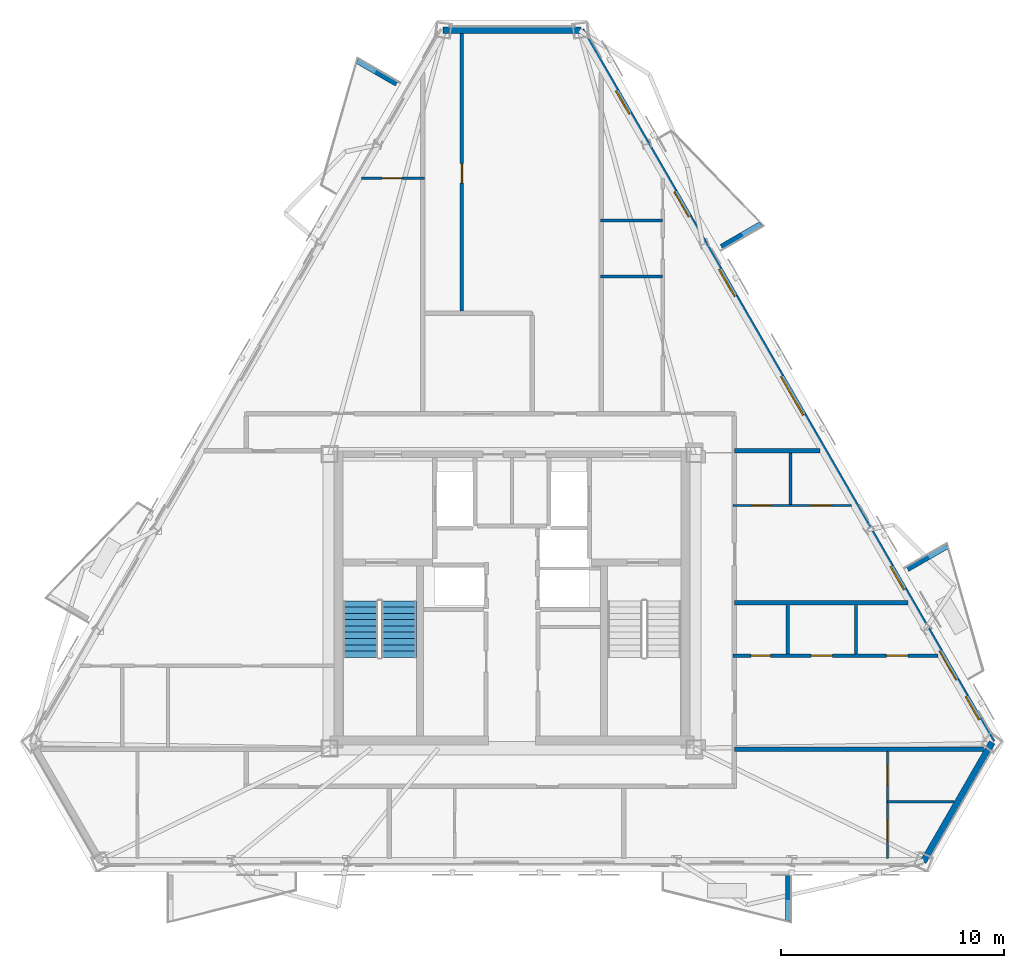
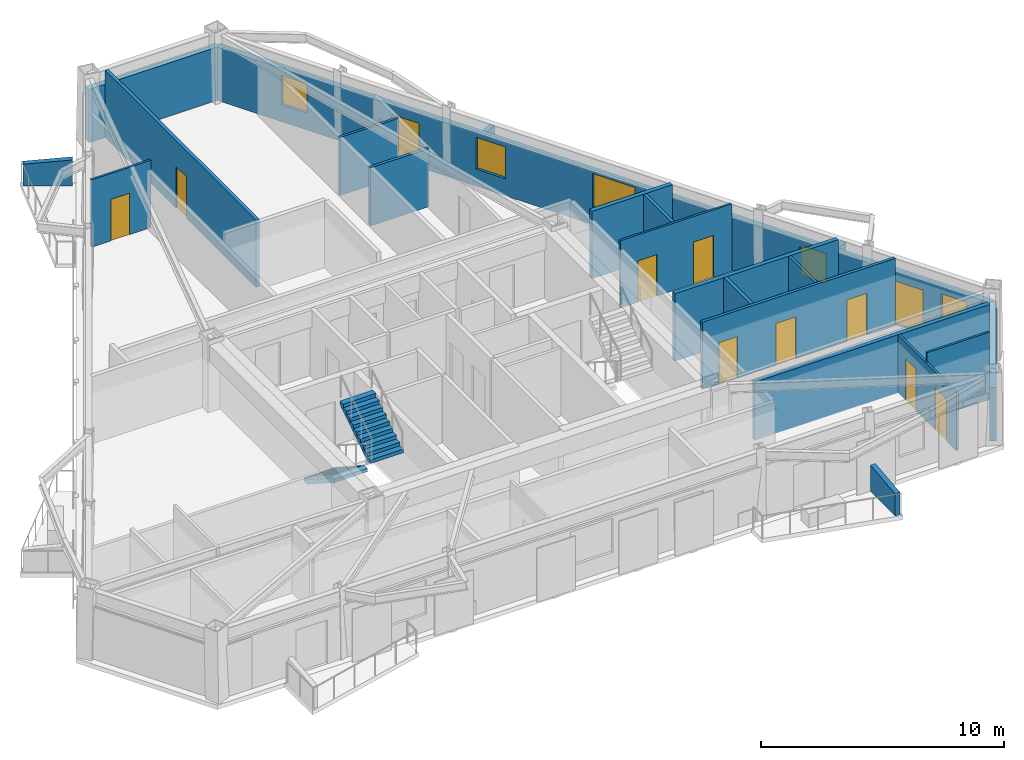
# One storey, part 5 of 9: 21 walls, 11 doors, 5 windows, 2 stair flights, 16 openings, 1 element without a shape of its own.
"""IFC4 building model written with IfcOpenShell, lengths in metres."""

import ifcopenshell
import ifcopenshell.guid

model = None  # the IFC model being written
_history = None  # IfcOwnerHistory: only IFC2X3 demands one
_inside = {}  # id of a spatial element -> (the spatial element, [elements in it])
_under = {}  # id of a project, library or spatial element -> (it, [spatial elements below it])
_declared = {}  # id of a project -> (the project, [libraries it declares])
_typed = {}  # id of a type object -> (the type object, [elements of that type])
_made_of = {}  # id of a material, layer set ... -> (it, [elements and type objects made of it])


def new_model(schema):
    """Start an empty IFC model of exactly this schema.

    Asked for "IFC4X3", IfcOpenShell would pick the latest addendum, in which some entities
    have other attributes; the version numbers below select the first issue.
    IFC2X3 requires an IfcOwnerHistory on every rooted entity: one is made here for all.
    """
    global model, _history
    if schema == "IFC4X3":
        model = ifcopenshell.file(schema_version=(4, 3, 0, 0))
    else:
        model = ifcopenshell.file(schema=schema)
    _inside.clear()
    _under.clear()
    _declared.clear()
    _typed.clear()
    _made_of.clear()
    _history = None
    if model.schema == "IFC2X3":
        org = make("IfcOrganization", Name="unknown")
        user = make(
            "IfcPersonAndOrganization",
            ThePerson=make("IfcPerson", FamilyName="unknown"),
            TheOrganization=org,
        )
        app = make(
            "IfcApplication",
            ApplicationDeveloper=org,
            Version="unknown",
            ApplicationFullName="unknown",
            ApplicationIdentifier="unknown",
        )
        _history = make(
            "IfcOwnerHistory",
            OwningUser=user,
            OwningApplication=app,
            ChangeAction="ADDED",
            CreationDate=0,
        )
    return model


def make(cls, **values):
    """One entity of the class cls with the attributes given. An attribute that is None is left unset."""
    return model.create_entity(
        cls, **{name: value for name, value in values.items() if value is not None}
    )


def rooted(cls, **values):
    """An entity with a GlobalId (a new one), such as an element, a storey or a relation."""
    return make(cls, GlobalId=ifcopenshell.guid.new(), OwnerHistory=_history, **values)


def si_unit(unit_type, name, prefix=None):
    """IfcSIUnit, for example si_unit("LENGTHUNIT", "METRE", prefix="MILLI")."""
    return make("IfcSIUnit", UnitType=unit_type, Prefix=prefix, Name=name)


def assignment(units):
    """IfcUnitAssignment: the units of a project."""
    return None if units is None else make("IfcUnitAssignment", Units=units)


def point(xyz):
    """IfcCartesianPoint."""
    return None if xyz is None else make("IfcCartesianPoint", Coordinates=xyz)


def direction(xyz):
    """IfcDirection."""
    return None if xyz is None else make("IfcDirection", DirectionRatios=xyz)


def frame(location, z_axis=None, x_axis=None):
    """IfcAxis2Placement3D, a coordinate frame: its origin and axes. An axis left out is left unset."""
    return make(
        "IfcAxis2Placement3D",
        Location=point(location),
        Axis=direction(z_axis),
        RefDirection=direction(x_axis),
    )


def frame_2d(location, x_axis=None):
    """IfcAxis2Placement2D, a coordinate frame in the plane: its origin and x axis."""
    return make(
        "IfcAxis2Placement2D", Location=point(location), RefDirection=direction(x_axis)
    )


def origin():
    """The frame at (0, 0, 0) with its axes left unset."""
    return frame((0.0, 0.0, 0.0))


def place(relative_to, where):
    """IfcLocalPlacement: puts the frame where relative to a parent placement (None: the world)."""
    return make(
        "IfcLocalPlacement", PlacementRelTo=relative_to, RelativePlacement=where
    )


def context(
    kind, dimensions, precision=None, world=None, true_north=None, identifier=None
):
    """IfcGeometricRepresentationContext, for example the 3D "Model" context."""
    return make(
        "IfcGeometricRepresentationContext",
        ContextIdentifier=identifier,
        ContextType=kind,
        CoordinateSpaceDimension=dimensions,
        Precision=precision,
        WorldCoordinateSystem=world,
        TrueNorth=true_north,
    )


def subcontext(parent, identifier, kind, view, scale=None):
    """IfcGeometricRepresentationSubContext, for example "Body" below "Model"."""
    return make(
        "IfcGeometricRepresentationSubContext",
        ContextIdentifier=identifier,
        ContextType=kind,
        ParentContext=parent,
        TargetScale=scale,
        TargetView=view,
    )


def project(units=None, contexts=None):
    """IfcProject with its units and contexts."""
    return rooted(
        "IfcProject",
        Name="project",
        RepresentationContexts=contexts,
        UnitsInContext=assignment(units),
    )


def spatial(cls, under=None, at=None, **own):
    """A site, building, storey or space (cls), placed at a placement, below another one or the project."""
    s = rooted(cls, ObjectPlacement=at, **own)
    if under is not None:
        _under.setdefault(under.id(), (under, []))[1].append(s)
    return s


def polyline(points):
    """IfcPolyline through the points."""
    return make("IfcPolyline", Points=[point(p) for p in points])


def profile(cls, at=None, kind="AREA", **sizes):
    """A parametric profile (cls). Its sizes go by their IFC names, for example OverallWidth=200.0."""
    return make(cls, ProfileType=kind, Position=at, **sizes)


def rectangle(**sizes):
    """IfcRectangleProfileDef."""
    return profile("IfcRectangleProfileDef", **sizes)


def outline(outer, holes=None, kind="AREA"):
    """IfcArbitraryClosedProfileDef: a profile drawn as a closed curve; with holes, ...WithVoids."""
    if holes is None:
        return make("IfcArbitraryClosedProfileDef", ProfileType=kind, OuterCurve=outer)
    return make(
        "IfcArbitraryProfileDefWithVoids",
        ProfileType=kind,
        OuterCurve=outer,
        InnerCurves=holes,
    )


def extrude(swept, where, along, depth):
    """IfcExtrudedAreaSolid: the profile swept, set in the frame where, extruded along a direction by depth."""
    return make(
        "IfcExtrudedAreaSolid",
        SweptArea=swept,
        Position=where,
        ExtrudedDirection=direction(along),
        Depth=depth,
    )


def shape(context_of_items, identifier, shape_type, items):
    """IfcShapeRepresentation: the items that make up one representation, for example the "Body"."""
    return make(
        "IfcShapeRepresentation",
        ContextOfItems=context_of_items,
        RepresentationIdentifier=identifier,
        RepresentationType=shape_type,
        Items=items,
    )


def material(Name=None, Category=None):
    """IfcMaterial."""
    return make("IfcMaterial", Name=Name, Category=Category)


def layer(
    of_material, thickness, ventilated=None, Name=None, Category=None, Priority=None
):
    """IfcMaterialLayer: one layer of a wall or slab, of a material (None: an air gap)."""
    return make(
        "IfcMaterialLayer",
        Material=of_material,
        LayerThickness=thickness,
        IsVentilated=ventilated,
        Name=Name,
        Category=Category,
        Priority=Priority,
    )


def layer_set(layers, Name=None):
    """IfcMaterialLayerSet."""
    return make("IfcMaterialLayerSet", MaterialLayers=layers, LayerSetName=Name)


def made_of(thing, what):
    """Note that an element or type object is made of a material, layer set ...; save() writes the relation."""
    if what is not None:
        _made_of.setdefault(what.id(), (what, []))[1].append(thing)
    return thing


def type_object(cls, material=None, **own):
    """A type object (cls), such as IfcWallType, which elements share."""
    return made_of(rooted(cls, **own), material)


def element(
    cls,
    number,
    at=None,
    inside=None,
    cuts=None,
    type_object=None,
    material=None,
    context=None,
    identifier="Body",
    shape_type=None,
    held_by="IfcProductDefinitionShape",
    body=None,
    shapes=None,
    **own,
):
    """One element of the class cls, such as IfcWall. Its Tag is "e" and its number.

    at: its placement. inside: the storey or other place that contains it. cuts: it is an
    opening in that element (IfcRelVoidsElement). A single representation is given by context,
    identifier, shape_type and body (its items); several are given by shapes. held_by: the class
    of the entity that holds the representations. save() writes the other relations.
    """
    e = rooted(cls, Tag="e%d" % number, ObjectPlacement=at, **own)
    if body is not None:
        shapes = [shape(context, identifier, shape_type, body)]
    if shapes is not None:
        e.Representation = make(held_by, Representations=shapes)
    if inside is not None:
        _inside.setdefault(inside.id(), (inside, []))[1].append(e)
    if cuts is not None:
        rooted(
            "IfcRelVoidsElement", RelatingBuildingElement=cuts, RelatedOpeningElement=e
        )
    if type_object is not None:
        _typed.setdefault(type_object.id(), (type_object, []))[1].append(e)
    return made_of(e, material)


def fill(opening, filler):
    """IfcRelFillsElement: the door or window that sits in an opening."""
    return rooted(
        "IfcRelFillsElement",
        RelatingOpeningElement=opening,
        RelatedBuildingElement=filler,
    )


def aggregate(whole, parts):
    """IfcRelAggregates: a whole, such as a stair, and the parts it consists of."""
    return rooted("IfcRelAggregates", RelatingObject=whole, RelatedObjects=parts)


def save(model, path):
    """Write the relations noted so far, then the file.

    IfcRelAggregates (storeys below a building ...), IfcRelContainedInSpatialStructure (elements
    in a storey), IfcRelDefinesByType, IfcRelAssociatesMaterial and IfcRelDeclares: one each for
    every whole, place, type object, material and project.
    """
    for whole, parts in _under.values():
        aggregate(whole, parts)
    for where, things in _inside.values():
        rooted(
            "IfcRelContainedInSpatialStructure",
            RelatedElements=things,
            RelatingStructure=where,
        )
    for kind, things in _typed.values():
        rooted("IfcRelDefinesByType", RelatedObjects=things, RelatingType=kind)
    for what, things in _made_of.values():
        rooted("IfcRelAssociatesMaterial", RelatedObjects=things, RelatingMaterial=what)
    for by, libraries in _declared.values():
        rooted("IfcRelDeclares", RelatingContext=by, RelatedDefinitions=libraries)
    model.write(path)


model = new_model("IFC4")

# Units and contexts
model_context = context("Model", 3, precision=1e-05, world=origin(), true_north=direction((0.0, 1.0)))
body_context = subcontext(model_context, "Body", "Model", "MODEL_VIEW")
ifc_project = project(units=[si_unit("LENGTHUNIT", "METRE"), si_unit("AREAUNIT", "SQUARE_METRE"), si_unit("VOLUMEUNIT", "CUBIC_METRE"), si_unit("PLANEANGLEUNIT", "RADIAN"), si_unit("MASSUNIT", "GRAM", prefix="KILO")], contexts=[model_context])

# Site, building, storey
site_placement = place(None, origin())
site = spatial("IfcSite", under=ifc_project, at=site_placement, CompositionType="ELEMENT")
building_placement = place(site_placement, origin())
building = spatial("IfcBuilding", under=site, at=building_placement, Name="Oramaril Tower", CompositionType="ELEMENT")
storey_placement = place(building_placement, frame((0.0, 0.0, 230.699951171875)))
storey = spatial("IfcBuildingStorey", under=building, at=storey_placement, Name="L61", CompositionType="ELEMENT", Elevation=230.699951171875)

# Wall
ifc_material_1 = material(Name="Warm Cream Limestone", Category="masonry")
ifc_layer_1 = layer(ifc_material_1, 0.2900390625)
ifc_layer_set_1 = layer_set([ifc_layer_1], Name="WT-EXT29")
wall_type_1 = type_object("IfcWallType", Name="WT-EXT29", PredefinedType="SOLIDWALL", material=ifc_layer_set_1)
wall_1_placement = place(storey_placement, frame((55.897705078125, 5.9140625, 0.0), z_axis=(0.0, 0.0, 1.0), x_axis=(0.49997579017, 0.866039380885, 0.0)))
element("IfcWall", 1, at=wall_1_placement, inside=storey, type_object=wall_type_1, Name="L61 Tower Limestone Facade Wall 3M", PredefinedType="SOLIDWALL", context=body_context, shape_type="SweptSolid", body=[
    extrude(rectangle(XDim=6.173095703125, YDim=0.2900390625, at=frame_2d((3.08642578125, 0.0))), origin(), (0.0, 0.0, 1.0), 2.677001953125),
])

# Wall, openings, doors, windows
wall_2_placement = place(storey_placement, frame((58.984130859375, 11.26025390625, 0.0), z_axis=(0.0, 0.0, 1.0), x_axis=(-0.50000331183, 0.86602349169, 0.0)))
wall_2 = element("IfcWall", 2, at=wall_2_placement, inside=storey, type_object=wall_type_1, Name="L61 Tower Limestone Facade Wall 4M", PredefinedType="SOLIDWALL", context=body_context, shape_type="SweptSolid", body=[
    extrude(rectangle(XDim=36.795166015625, YDim=0.2900390625, at=frame_2d((18.3974609375, 0.0))), origin(), (0.0, 0.0, 1.0), 2.677001953125),
])
opening_1_placement = place(wall_2_placement, frame((3.219482421875, 0.0, 0.0)))
opening_1 = element("IfcOpeningElement", 3, at=opening_1_placement, cuts=wall_2, Name="Opening D-L61-BAL-NE1", PredefinedType="OPENING", context=body_context, shape_type="SweptSolid", body=[
    extrude(rectangle(XDim=1.5, YDim=2.199951171875, at=frame_2d((0.75, 1.10009765625))), frame((0.0, 0.14501953125, 0.0), z_axis=(0.0, -1.0, 0.0), x_axis=(1.0, 0.0, 0.0)), (0.0, 0.0, 1.0), 0.2900390625),
])
opening_2_placement = place(wall_2_placement, frame((27.150634765625, 0.0, 0.0)))
opening_2 = element("IfcOpeningElement", 4, at=opening_2_placement, cuts=wall_2, Name="Opening D-L61-BAL-NE2", PredefinedType="OPENING", context=body_context, shape_type="SweptSolid", body=[
    extrude(rectangle(XDim=1.300048828125, YDim=2.199951171875, at=frame_2d((0.64990234375, 1.10009765625))), frame((0.0, 0.14501953125, 0.0), z_axis=(0.0, -1.0, 0.0), x_axis=(1.0, 0.0, 0.0)), (0.0, 0.0, 1.0), 0.2900390625),
])
opening_3_placement = place(wall_2_placement, frame((1.168701171875, 0.0, 0.85009765625)))
opening_3 = element("IfcOpeningElement", 5, at=opening_3_placement, cuts=wall_2, Name="Opening WN-09", PredefinedType="OPENING", context=body_context, shape_type="SweptSolid", body=[
    extrude(rectangle(XDim=1.199951171875, YDim=1.47998046875, at=frame_2d((0.60009765625, 0.739990234375))), frame((0.0, 0.14501953125, 0.0), z_axis=(0.0, -1.0, 0.0), x_axis=(1.0, 0.0, 0.0)), (0.0, 0.0, 1.0), 0.2900390625),
])
opening_4_placement = place(wall_2_placement, frame((7.888427734375, 0.0, 0.85009765625)))
opening_4 = element("IfcOpeningElement", 6, at=opening_4_placement, cuts=wall_2, Name="Opening WN-09", PredefinedType="OPENING", context=body_context, shape_type="SweptSolid", body=[
    extrude(rectangle(XDim=1.199951171875, YDim=1.47998046875, at=frame_2d((0.60009765625, 0.739990234375))), frame((0.0, 0.14501953125, 0.0), z_axis=(0.0, -1.0, 0.0), x_axis=(1.0, 0.0, 0.0)), (0.0, 0.0, 1.0), 0.2900390625),
])
opening_5_placement = place(wall_2_placement, frame((32.46435546875, 0.0, 0.85009765625)))
opening_5 = element("IfcOpeningElement", 7, at=opening_5_placement, cuts=wall_2, Name="Opening WN-09", PredefinedType="OPENING", context=body_context, shape_type="SweptSolid", body=[
    extrude(rectangle(XDim=1.199951171875, YDim=1.47998046875, at=frame_2d((0.60009765625, 0.739990234375))), frame((0.0, 0.14501953125, 0.0), z_axis=(0.0, -1.0, 0.0), x_axis=(1.0, 0.0, 0.0)), (0.0, 0.0, 1.0), 0.2900390625),
])
opening_6_placement = place(wall_2_placement, frame((16.904052734375, 0.0, 0.85009765625)))
opening_6 = element("IfcOpeningElement", 8, at=opening_6_placement, cuts=wall_2, Name="Opening WN-05", PredefinedType="OPENING", context=body_context, shape_type="SweptSolid", body=[
    extrude(rectangle(XDim=2.0, YDim=1.717041015625, at=frame_2d((1.0, 0.8583984375))), frame((0.0, 0.14501953125, 0.0), z_axis=(0.0, -1.0, 0.0), x_axis=(1.0, 0.0, 0.0)), (0.0, 0.0, 1.0), 0.2900390625),
])
opening_7_placement = place(wall_2_placement, frame((23.0361328125, 0.0, 0.85009765625)))
opening_7 = element("IfcOpeningElement", 9, at=opening_7_placement, cuts=wall_2, Name="Opening WN-08", PredefinedType="OPENING", context=body_context, shape_type="SweptSolid", body=[
    extrude(rectangle(XDim=1.39990234375, YDim=1.60009765625, at=frame_2d((0.699951171875, 0.800048828125))), frame((0.0, 0.14501953125, 0.0), z_axis=(0.0, -1.0, 0.0), x_axis=(1.0, 0.0, 0.0)), (0.0, 0.0, 1.0), 0.2900390625),
])
ifc_material_2 = material(Name="Anodised Aluminium 6063-T6", Category="aluminium")
door_type_1 = type_object("IfcDoorType", Name="DT-BAL", OperationType="NOTDEFINED", PredefinedType="DOOR", material=ifc_material_2)
door_1_placement = place(opening_1_placement, origin())
door_1 = element("IfcDoor", 10, at=door_1_placement, inside=storey, type_object=door_type_1, Name="L61 Balcony Glazed Door L61-BAL-NE1", OperationType="SINGLE_SWING_RIGHT", OverallHeight=2.199951171875, OverallWidth=1.5, PredefinedType="DOOR", context=body_context, shape_type="SweptSolid", body=[
    extrude(rectangle(XDim=1.5, YDim=2.199951171875, at=frame_2d((0.75, 1.10009765625))), frame((0.0, 0.02490234375, 0.0), z_axis=(0.0, -1.0, 0.0), x_axis=(1.0, 0.0, 0.0)), (0.0, 0.0, 1.0), 0.050048828125),
])
fill(opening_1, door_1)
ifc_material_3 = material(Name="Anodised Aluminium 6063-T6", Category="aluminium")
door_type_2 = type_object("IfcDoorType", Name="DT-E2", OperationType="NOTDEFINED", PredefinedType="DOOR", material=ifc_material_3)
door_2_placement = place(opening_2_placement, origin())
door_2 = element("IfcDoor", 11, at=door_2_placement, inside=storey, type_object=door_type_2, Name="L61 Balcony Glazed Door L61-BAL-NE2", OperationType="SINGLE_SWING_LEFT", OverallHeight=2.199951171875, OverallWidth=1.300048828125, PredefinedType="DOOR", context=body_context, shape_type="SweptSolid", body=[
    extrude(rectangle(XDim=1.300048828125, YDim=2.199951171875, at=frame_2d((0.64990234375, 1.10009765625))), frame((0.0, 0.02490234375, 0.0), z_axis=(0.0, -1.0, 0.0), x_axis=(1.0, 0.0, 0.0)), (0.0, 0.0, 1.0), 0.050048828125),
])
fill(opening_2, door_2)
ifc_material_4 = material(Name="Coastal Low-E Insulated Glass", Category="glass")
window_type_1 = type_object("IfcWindowType", Name="WNT-05", PartitioningType="SINGLE_PANEL", PredefinedType="WINDOW", material=ifc_material_4)
window_1_placement = place(opening_6_placement, origin())
window_1 = element("IfcWindow", 12, at=window_1_placement, inside=storey, type_object=window_type_1, Name="L61 Chicago Bay Window WN-05", OverallHeight=1.717041015625, OverallWidth=2.0, PartitioningType="SINGLE_PANEL", PredefinedType="WINDOW", context=body_context, shape_type="SweptSolid", body=[
    extrude(rectangle(XDim=2.0, YDim=1.717041015625, at=frame_2d((1.0, 0.8583984375))), frame((0.0, 0.030029296875, 0.0), z_axis=(0.0, -1.0, 0.0), x_axis=(1.0, 0.0, 0.0)), (0.0, 0.0, 1.0), 0.06005859375),
])
fill(opening_6, window_1)
ifc_material_5 = material(Name="Coastal Low-E Insulated Glass", Category="glass")
window_type_2 = type_object("IfcWindowType", Name="WNT-08", PartitioningType="SINGLE_PANEL", PredefinedType="WINDOW", material=ifc_material_5)
window_2_placement = place(opening_7_placement, origin())
window_2 = element("IfcWindow", 13, at=window_2_placement, inside=storey, type_object=window_type_2, Name="L61 Chicago Bay Window WN-08", OverallHeight=1.60009765625, OverallWidth=1.39990234375, PartitioningType="SINGLE_PANEL", PredefinedType="WINDOW", context=body_context, shape_type="SweptSolid", body=[
    extrude(rectangle(XDim=1.39990234375, YDim=1.60009765625, at=frame_2d((0.699951171875, 0.800048828125))), frame((0.0, 0.030029296875, 0.0), z_axis=(0.0, -1.0, 0.0), x_axis=(1.0, 0.0, 0.0)), (0.0, 0.0, 1.0), 0.06005859375),
])
fill(opening_7, window_2)
ifc_material_6 = material(Name="Coastal Low-E Insulated Glass", Category="glass")
window_type_3 = type_object("IfcWindowType", Name="WNT-09", PartitioningType="SINGLE_PANEL", PredefinedType="WINDOW", material=ifc_material_6)
window_3_placement = place(opening_3_placement, origin())
window_3 = element("IfcWindow", 14, at=window_3_placement, inside=storey, type_object=window_type_3, Name="L61 Chicago Bay Window WN-09", OverallHeight=1.47998046875, OverallWidth=1.199951171875, PartitioningType="SINGLE_PANEL", PredefinedType="WINDOW", context=body_context, shape_type="SweptSolid", body=[
    extrude(rectangle(XDim=1.199951171875, YDim=1.47998046875, at=frame_2d((0.60009765625, 0.739990234375))), frame((0.0, 0.030029296875, 0.0), z_axis=(0.0, -1.0, 0.0), x_axis=(1.0, 0.0, 0.0)), (0.0, 0.0, 1.0), 0.06005859375),
])
fill(opening_3, window_3)
window_4_placement = place(opening_4_placement, origin())
window_4 = element("IfcWindow", 15, at=window_4_placement, inside=storey, type_object=window_type_3, Name="L61 Chicago Bay Window WN-09", OverallHeight=1.47998046875, OverallWidth=1.199951171875, PartitioningType="SINGLE_PANEL", PredefinedType="WINDOW", context=body_context, shape_type="SweptSolid", body=[
    extrude(rectangle(XDim=1.199951171875, YDim=1.47998046875, at=frame_2d((0.60009765625, 0.739990234375))), frame((0.0, 0.030029296875, 0.0), z_axis=(0.0, -1.0, 0.0), x_axis=(1.0, 0.0, 0.0)), (0.0, 0.0, 1.0), 0.06005859375),
])
fill(opening_4, window_4)
window_5_placement = place(opening_5_placement, origin())
window_5 = element("IfcWindow", 16, at=window_5_placement, inside=storey, type_object=window_type_3, Name="L61 Chicago Bay Window WN-09", OverallHeight=1.47998046875, OverallWidth=1.199951171875, PartitioningType="SINGLE_PANEL", PredefinedType="WINDOW", context=body_context, shape_type="SweptSolid", body=[
    extrude(rectangle(XDim=1.199951171875, YDim=1.47998046875, at=frame_2d((0.60009765625, 0.739990234375))), frame((0.0, 0.030029296875, 0.0), z_axis=(0.0, -1.0, 0.0), x_axis=(1.0, 0.0, 0.0)), (0.0, 0.0, 1.0), 0.06005859375),
])
fill(opening_5, window_5)

# Walls
wall_3_placement = place(storey_placement, frame((40.58642578125, 43.125732421875, 0.0), z_axis=(0.0, 0.0, 1.0), x_axis=(-1.0, 0.0, 0.0)))
element("IfcWall", 17, at=wall_3_placement, inside=storey, type_object=wall_type_1, Name="L61 Tower Limestone Facade Wall 5M", PredefinedType="SOLIDWALL", context=body_context, shape_type="SweptSolid", body=[
    extrude(rectangle(XDim=6.1728515625, YDim=0.2900390625, at=frame_2d((3.08642578125, 0.0))), origin(), (0.0, 0.0, 1.0), 2.677001953125),
])
ifc_material_7 = material(Name="Concrete C40/50", Category="concrete")
ifc_layer_2 = layer(ifc_material_7, 0.22998046875)
ifc_layer_set_2 = layer_set([ifc_layer_2], Name="WT-PRP23")
wall_type_2 = type_object("IfcWallType", Name="WT-PRP23", PredefinedType="PARAPET", material=ifc_layer_set_2)
for number, where, z_axis, x_axis, name in (
    (18, (49.858154296875, 5.316162109375, 0.0), (0.0, 0.0, 1.0), (0.0, -1.0, 0.0), "L61 Trapezoidal Balcony Frame Cheek L61-BAL-S2-R"),
    (19, (55.19970703125, 19.0107421875, 0.0), (0.0, 0.0, 1.0), (0.866042246008, 0.499970827278, 0.0), "L61 Trapezoidal Balcony Frame Cheek L61-BAL-NE1-R"),
    (20, (46.869140625, 33.43994140625, 0.0), (0.0, 0.0, 1.0), (0.866012356593, 0.500022597718, 0.0), "L61 Trapezoidal Balcony Frame Cheek L61-BAL-NE2-L"),
    (21, (32.33837890625, 40.7275390625, 0.0), (0.0, 0.0, 1.0), (-0.866012356593, 0.500022597718, 0.0), "L61 Trapezoidal Balcony Frame Cheek L61-BAL-NW1-L"),
):
    element("IfcWall", number, at=place(storey_placement, frame(where, z_axis=z_axis, x_axis=x_axis)), inside=storey, type_object=wall_type_2, Name=name, PredefinedType="PARAPET", context=body_context, shape_type="SweptSolid", body=[
        extrude(outline(polyline([(0.0, 0.0), (2.0419921875, 0.0), (2.0419921875, 1.10009765625), (0.0, 1.320068359375), (0.0, 0.0)])), frame((0.0, 0.114990234375, 0.0), z_axis=(0.0, -1.0, 0.0), x_axis=(1.0, 0.0, 0.0)), (0.0, 0.0, 1.0), 0.22998046875),
    ])
ifc_material_8 = material(Name="Acoustic Gypsum Board Partition")
ifc_layer_3 = layer(ifc_material_8, 0.10009765625)
ifc_layer_set_3 = layer_set([ifc_layer_3], Name="WT-PT10")
wall_type_3 = type_object("IfcWallType", Name="WT-PT10", PredefinedType="PARTITIONING", material=ifc_layer_set_3)
wall_4_placement = place(storey_placement, frame((54.3017578125, 8.610107421875, 0.0), z_axis=(0.0, 0.0, 1.0), x_axis=(1.0, 0.0, 0.0)))
element("IfcWall", 22, at=wall_4_placement, inside=storey, type_object=wall_type_3, Name="L61 Interior Partition PT-10", PredefinedType="PARTITIONING", context=body_context, shape_type="SweptSolid", body=[
    extrude(rectangle(XDim=2.980224609375, YDim=0.10009765625, at=frame_2d((1.490234375, 0.0))), origin(), (0.0, 0.0, 1.0), 3.380126953125),
])

# Wall, openings, doors
wall_5_placement = place(storey_placement, frame((47.39990234375, 21.860107421875, 0.0), z_axis=(0.0, 0.0, 1.0), x_axis=(1.0, 0.0, 0.0)))
wall_5 = element("IfcWall", 23, at=wall_5_placement, inside=storey, type_object=wall_type_3, Name="L61 Interior Partition PT-10", PredefinedType="PARTITIONING", context=body_context, shape_type="SweptSolid", body=[
    extrude(rectangle(XDim=5.292236328125, YDim=0.10009765625, at=frame_2d((2.64599609375, 0.0))), origin(), (0.0, 0.0, 1.0), 3.380126953125),
])
opening_8_placement = place(wall_5_placement, frame((0.8515625, 0.0, 0.0)))
opening_8 = element("IfcOpeningElement", 24, at=opening_8_placement, cuts=wall_5, Name="Opening D-L61-10", PredefinedType="OPENING", context=body_context, shape_type="SweptSolid", body=[
    extrude(rectangle(XDim=0.8798828125, YDim=2.080078125, at=frame_2d((0.43994140625, 1.0400390625))), frame((0.0, 0.050048828125, 0.0), z_axis=(0.0, -1.0, 0.0), x_axis=(1.0, 0.0, 0.0)), (0.0, 0.0, 1.0), 0.10009765625),
])
opening_9_placement = place(wall_5_placement, frame((3.4658203125, 0.0, 0.0)))
opening_9 = element("IfcOpeningElement", 25, at=opening_9_placement, cuts=wall_5, Name="Opening D-L61-11", PredefinedType="OPENING", context=body_context, shape_type="SweptSolid", body=[
    extrude(rectangle(XDim=0.949951171875, YDim=2.10009765625, at=frame_2d((0.47509765625, 1.050048828125))), frame((0.0, 0.050048828125, 0.0), z_axis=(0.0, -1.0, 0.0), x_axis=(1.0, 0.0, 0.0)), (0.0, 0.0, 1.0), 0.10009765625),
])
ifc_material_9 = material(Name="FSC Brazilian Freijo Hardwood", Category="wood")
door_type_3 = type_object("IfcDoorType", Name="DT-BATH", OperationType="NOTDEFINED", PredefinedType="DOOR", material=ifc_material_9)
door_3_placement = place(opening_8_placement, origin())
door_3 = element("IfcDoor", 26, at=door_3_placement, inside=storey, type_object=door_type_3, Name="L61 Flat L61-U6 Bathroom Door D-L61-10", OperationType="SINGLE_SWING_LEFT", OverallHeight=2.080078125, OverallWidth=0.8798828125, PredefinedType="DOOR", context=body_context, shape_type="SweptSolid", body=[
    extrude(rectangle(XDim=0.8798828125, YDim=2.080078125, at=frame_2d((0.43994140625, 1.0400390625))), frame((0.0, 0.02490234375, 0.0), z_axis=(0.0, -1.0, 0.0), x_axis=(1.0, 0.0, 0.0)), (0.0, 0.0, 1.0), 0.050048828125),
])
fill(opening_8, door_3)
ifc_material_10 = material(Name="FSC Brazilian Freijo Hardwood", Category="wood")
door_type_4 = type_object("IfcDoorType", Name="DT-STDY", OperationType="NOTDEFINED", PredefinedType="DOOR", material=ifc_material_10)
door_4_placement = place(opening_9_placement, origin())
door_4 = element("IfcDoor", 27, at=door_4_placement, inside=storey, type_object=door_type_4, Name="L61 Flat L61-U6 Kitchen Door D-L61-11", OperationType="SINGLE_SWING_RIGHT", OverallHeight=2.10009765625, OverallWidth=0.949951171875, PredefinedType="DOOR", context=body_context, shape_type="SweptSolid", body=[
    extrude(rectangle(XDim=0.949951171875, YDim=2.10009765625, at=frame_2d((0.47509765625, 1.050048828125))), frame((0.0, 0.02490234375, 0.0), z_axis=(0.0, -1.0, 0.0), x_axis=(1.0, 0.0, 0.0)), (0.0, 0.0, 1.0), 0.050048828125),
])
fill(opening_9, door_4)

# Wall, opening, door
wall_6_placement = place(storey_placement, frame((30.76025390625, 36.5, 0.0), z_axis=(0.0, 0.0, 1.0), x_axis=(1.0, 0.0, 0.0)))
wall_6 = element("IfcWall", 28, at=wall_6_placement, inside=storey, type_object=wall_type_3, Name="L61 Interior Partition PT-10", PredefinedType="PARTITIONING", context=body_context, shape_type="SweptSolid", body=[
    extrude(rectangle(XDim=2.82177734375, YDim=0.10009765625, at=frame_2d((1.410888671875, 0.0))), origin(), (0.0, 0.0, 1.0), 3.380126953125),
])
opening_10_placement = place(wall_6_placement, frame((0.93115234375, 0.0, 0.0)))
opening_10 = element("IfcOpeningElement", 29, at=opening_10_placement, cuts=wall_6, Name="Opening D-L61-17", PredefinedType="OPENING", context=body_context, shape_type="SweptSolid", body=[
    extrude(rectangle(XDim=0.8798828125, YDim=2.080078125, at=frame_2d((0.43994140625, 1.0400390625))), frame((0.0, 0.050048828125, 0.0), z_axis=(0.0, -1.0, 0.0), x_axis=(1.0, 0.0, 0.0)), (0.0, 0.0, 1.0), 0.10009765625),
])
door_5_placement = place(opening_10_placement, origin())
door_5 = element("IfcDoor", 30, at=door_5_placement, inside=storey, type_object=door_type_3, Name="L61 Flat L61-U7 Bathroom Door D-L61-17", OperationType="SINGLE_SWING_RIGHT", OverallHeight=2.080078125, OverallWidth=0.8798828125, PredefinedType="DOOR", context=body_context, shape_type="SweptSolid", body=[
    extrude(rectangle(XDim=0.8798828125, YDim=2.080078125, at=frame_2d((0.43994140625, 1.0400390625))), frame((0.0, 0.02490234375, 0.0), z_axis=(0.0, -1.0, 0.0), x_axis=(1.0, 0.0, 0.0)), (0.0, 0.0, 1.0), 0.050048828125),
])
fill(opening_10, door_5)

# Wall, openings, doors
wall_7_placement = place(storey_placement, frame((54.300048828125, 6.06298828125, 0.0), z_axis=(0.0, 0.0, 1.0), x_axis=(0.0, 1.0, 0.0)))
wall_7 = element("IfcWall", 31, at=wall_7_placement, inside=storey, type_object=wall_type_3, Name="L61 Interior Partition PT-10", PredefinedType="PARTITIONING", context=body_context, shape_type="SweptSolid", body=[
    extrude(rectangle(XDim=4.782958984375, YDim=0.10009765625, at=frame_2d((2.3916015625, 0.0))), origin(), (0.0, 0.0, 1.0), 2.9130859375),
])
opening_11_placement = place(wall_7_placement, frame((0.781982421875, 0.0, 0.0)))
opening_11 = element("IfcOpeningElement", 32, at=opening_11_placement, cuts=wall_7, Name="Opening D-L61-26", PredefinedType="OPENING", context=body_context, shape_type="SweptSolid", body=[
    extrude(rectangle(XDim=0.949951171875, YDim=2.10009765625, at=frame_2d((0.47509765625, 1.050048828125))), frame((0.0, 0.050048828125, 0.0), z_axis=(0.0, -1.0, 0.0), x_axis=(1.0, 0.0, 0.0)), (0.0, 0.0, 1.0), 0.10009765625),
])
opening_12_placement = place(wall_7_placement, frame((3.289794921875, 0.0, 0.0)))
opening_12 = element("IfcOpeningElement", 33, at=opening_12_placement, cuts=wall_7, Name="Opening D-L61-27", PredefinedType="OPENING", context=body_context, shape_type="SweptSolid", body=[
    extrude(rectangle(XDim=0.8798828125, YDim=2.080078125, at=frame_2d((0.43994140625, 1.0400390625))), frame((0.0, 0.050048828125, 0.0), z_axis=(0.0, -1.0, 0.0), x_axis=(1.0, 0.0, 0.0)), (0.0, 0.0, 1.0), 0.10009765625),
])
door_6_placement = place(opening_12_placement, origin())
door_6 = element("IfcDoor", 34, at=door_6_placement, inside=storey, type_object=door_type_3, Name="L61 Flat L61-U3 Bathroom Door D-L61-27", OperationType="SINGLE_SWING_RIGHT", OverallHeight=2.080078125, OverallWidth=0.8798828125, PredefinedType="DOOR", context=body_context, shape_type="SweptSolid", body=[
    extrude(rectangle(XDim=0.8798828125, YDim=2.080078125, at=frame_2d((0.43994140625, 1.0400390625))), frame((0.0, 0.02490234375, 0.0), z_axis=(0.0, -1.0, 0.0), x_axis=(1.0, 0.0, 0.0)), (0.0, 0.0, 1.0), 0.050048828125),
])
fill(opening_12, door_6)
door_7_placement = place(opening_11_placement, origin())
door_7 = element("IfcDoor", 35, at=door_7_placement, inside=storey, type_object=door_type_4, Name="L61 Flat L61-U3 Kitchen Door D-L61-26", OperationType="SINGLE_SWING_LEFT", OverallHeight=2.10009765625, OverallWidth=0.949951171875, PredefinedType="DOOR", context=body_context, shape_type="SweptSolid", body=[
    extrude(rectangle(XDim=0.949951171875, YDim=2.10009765625, at=frame_2d((0.47509765625, 1.050048828125))), frame((0.0, 0.02490234375, 0.0), z_axis=(0.0, -1.0, 0.0), x_axis=(1.0, 0.0, 0.0)), (0.0, 0.0, 1.0), 0.050048828125),
])
fill(opening_11, door_7)

# Walls
ifc_material_11 = material(Name="Acoustic Gypsum Board Partition")
ifc_layer_4 = layer(ifc_material_11, 0.1201171875)
ifc_layer_set_4 = layer_set([ifc_layer_4], Name="WT-PT12")
wall_type_4 = type_object("IfcWallType", Name="WT-PT12", PredefinedType="PARTITIONING", material=ifc_layer_set_4)
wall_8_placement = place(storey_placement, frame((41.449951171875, 34.610107421875, 0.0), z_axis=(0.0, 0.0, 1.0), x_axis=(1.0, 0.0, 0.0)))
element("IfcWall", 36, at=wall_8_placement, inside=storey, type_object=wall_type_4, Name="L61 Interior Partition PT-12", PredefinedType="PARTITIONING", context=body_context, shape_type="SweptSolid", body=[
    extrude(rectangle(XDim=2.785888671875, YDim=0.1201171875, at=frame_2d((1.39306640625, 0.0))), origin(), (0.0, 0.0, 1.0), 2.9130859375),
])
wall_9_placement = place(storey_placement, frame((52.889892578125, 15.214111328125, 0.0), z_axis=(0.0, 0.0, 1.0), x_axis=(0.0, 1.0, 0.0)))
element("IfcWall", 37, at=wall_9_placement, inside=storey, type_object=wall_type_4, Name="L61 Interior Partition PT-12", PredefinedType="PARTITIONING", context=body_context, shape_type="SweptSolid", body=[
    extrude(rectangle(XDim=2.181884765625, YDim=0.1201171875, at=frame_2d((1.0908203125, 0.0))), origin(), (0.0, 0.0, 1.0), 3.380126953125),
])

# Wall, openings, doors
ifc_material_12 = material(Name="Acoustic Gypsum Board Partition")
ifc_layer_5 = layer(ifc_material_12, 0.139892578125)
ifc_layer_set_5 = layer_set([ifc_layer_5], Name="WT-PT14")
wall_type_5 = type_object("IfcWallType", Name="WT-PT14", PredefinedType="PARTITIONING", material=ifc_layer_set_5)
wall_10_placement = place(storey_placement, frame((47.39990234375, 15.139892578125, 0.0), z_axis=(0.0, 0.0, 1.0), x_axis=(1.0, 0.0, 0.0)))
wall_10 = element("IfcWall", 38, at=wall_10_placement, inside=storey, type_object=wall_type_5, Name="L61 Interior Partition PT-14", PredefinedType="PARTITIONING", context=body_context, shape_type="SweptSolid", body=[
    extrude(rectangle(XDim=9.172119140625, YDim=0.139892578125, at=frame_2d((4.5859375, 0.0))), origin(), (0.0, 0.0, 1.0), 3.380126953125),
])
opening_13_placement = place(wall_10_placement, frame((0.78857421875, 0.0, 0.0)))
opening_13 = element("IfcOpeningElement", 39, at=opening_13_placement, cuts=wall_10, Name="Opening D-L61-07", PredefinedType="OPENING", context=body_context, shape_type="SweptSolid", body=[
    extrude(rectangle(XDim=0.8798828125, YDim=2.080078125, at=frame_2d((0.43994140625, 1.0400390625))), frame((0.0, 0.06982421875, 0.0), z_axis=(0.0, -1.0, 0.0), x_axis=(1.0, 0.0, 0.0)), (0.0, 0.0, 1.0), 0.139892578125),
])
opening_14_placement = place(wall_10_placement, frame((3.487060546875, 0.0, 0.0)))
opening_14 = element("IfcOpeningElement", 40, at=opening_14_placement, cuts=wall_10, Name="Opening D-L61-08", PredefinedType="OPENING", context=body_context, shape_type="SweptSolid", body=[
    extrude(rectangle(XDim=0.949951171875, YDim=2.10009765625, at=frame_2d((0.47509765625, 1.050048828125))), frame((0.0, 0.06982421875, 0.0), z_axis=(0.0, -1.0, 0.0), x_axis=(1.0, 0.0, 0.0)), (0.0, 0.0, 1.0), 0.139892578125),
])
opening_15_placement = place(wall_10_placement, frame((6.868408203125, 0.0, 0.0)))
opening_15 = element("IfcOpeningElement", 41, at=opening_15_placement, cuts=wall_10, Name="Opening D-L61-09", PredefinedType="OPENING", context=body_context, shape_type="SweptSolid", body=[
    extrude(rectangle(XDim=0.949951171875, YDim=2.10009765625, at=frame_2d((0.47509765625, 1.050048828125))), frame((0.0, 0.06982421875, 0.0), z_axis=(0.0, -1.0, 0.0), x_axis=(1.0, 0.0, 0.0)), (0.0, 0.0, 1.0), 0.139892578125),
])
door_8_placement = place(opening_13_placement, origin())
door_8 = element("IfcDoor", 42, at=door_8_placement, inside=storey, type_object=door_type_3, Name="L61 Flat L61-U5 Bathroom Door D-L61-07", OperationType="SINGLE_SWING_RIGHT", OverallHeight=2.080078125, OverallWidth=0.8798828125, PredefinedType="DOOR", context=body_context, shape_type="SweptSolid", body=[
    extrude(rectangle(XDim=0.8798828125, YDim=2.080078125, at=frame_2d((0.43994140625, 1.0400390625))), frame((0.0, 0.02490234375, 0.0), z_axis=(0.0, -1.0, 0.0), x_axis=(1.0, 0.0, 0.0)), (0.0, 0.0, 1.0), 0.050048828125),
])
fill(opening_13, door_8)
door_9_placement = place(opening_14_placement, origin())
door_9 = element("IfcDoor", 43, at=door_9_placement, inside=storey, type_object=door_type_4, Name="L61 Flat L61-U5 Kitchen Door D-L61-08", OperationType="SINGLE_SWING_LEFT", OverallHeight=2.10009765625, OverallWidth=0.949951171875, PredefinedType="DOOR", context=body_context, shape_type="SweptSolid", body=[
    extrude(rectangle(XDim=0.949951171875, YDim=2.10009765625, at=frame_2d((0.47509765625, 1.050048828125))), frame((0.0, 0.02490234375, 0.0), z_axis=(0.0, -1.0, 0.0), x_axis=(1.0, 0.0, 0.0)), (0.0, 0.0, 1.0), 0.050048828125),
])
fill(opening_14, door_9)
door_10_placement = place(opening_15_placement, origin())
door_10 = element("IfcDoor", 44, at=door_10_placement, inside=storey, type_object=door_type_4, Name="L61 Flat L61-U5 Breakfast Dining Room Door D-L61-09", OperationType="SINGLE_SWING_RIGHT", OverallHeight=2.10009765625, OverallWidth=0.949951171875, PredefinedType="DOOR", context=body_context, shape_type="SweptSolid", body=[
    extrude(rectangle(XDim=0.949951171875, YDim=2.10009765625, at=frame_2d((0.47509765625, 1.050048828125))), frame((0.0, 0.02490234375, 0.0), z_axis=(0.0, -1.0, 0.0), x_axis=(1.0, 0.0, 0.0)), (0.0, 0.0, 1.0), 0.050048828125),
])
fill(opening_15, door_10)

# Walls
wall_11_placement = place(storey_placement, frame((41.449951171875, 32.110107421875, 0.0), z_axis=(0.0, 0.0, 1.0), x_axis=(1.0, 0.0, 0.0)))
element("IfcWall", 45, at=wall_11_placement, inside=storey, type_object=wall_type_5, Name="L61 Interior Partition PT-14", PredefinedType="PARTITIONING", context=body_context, shape_type="SweptSolid", body=[
    extrude(rectangle(XDim=2.785888671875, YDim=0.139892578125, at=frame_2d((1.39306640625, 0.0))), origin(), (0.0, 0.0, 1.0), 2.9130859375),
])
wall_12_placement = place(storey_placement, frame((49.9599609375, 21.9140625, 0.0), z_axis=(0.0, 0.0, 1.0), x_axis=(0.0, 1.0, 0.0)))
element("IfcWall", 46, at=wall_12_placement, inside=storey, type_object=wall_type_5, Name="L61 Interior Partition PT-14", PredefinedType="PARTITIONING", context=body_context, shape_type="SweptSolid", body=[
    extrude(rectangle(XDim=2.302001953125, YDim=0.139892578125, at=frame_2d((1.15087890625, 0.0))), origin(), (0.0, 0.0, 1.0), 3.380126953125),
])

# Wall, opening, door
ifc_material_13 = material(Name="Acoustic Gypsum Board Partition")
ifc_layer_6 = layer(ifc_material_13, 0.159912109375)
ifc_layer_set_6 = layer_set([ifc_layer_6], Name="WT-PT16")
wall_type_6 = type_object("IfcWallType", Name="WT-PT16", PredefinedType="PARTITIONING", material=ifc_layer_set_6)
wall_13_placement = place(storey_placement, frame((35.260009765625, 30.573974609375, 0.0), z_axis=(0.0, 0.0, 1.0), x_axis=(0.0, 1.0, 0.0)))
wall_13 = element("IfcWall", 47, at=wall_13_placement, inside=storey, type_object=wall_type_6, Name="L61 Interior Partition PT-16", PredefinedType="PARTITIONING", context=body_context, shape_type="SweptSolid", body=[
    extrude(rectangle(XDim=12.40283203125, YDim=0.159912109375, at=frame_2d((6.201416015625, 0.0))), origin(), (0.0, 0.0, 1.0), 3.380126953125),
])
opening_16_placement = place(wall_13_placement, frame((5.708984375, 0.0, 0.0)))
opening_16 = element("IfcOpeningElement", 48, at=opening_16_placement, cuts=wall_13, Name="Opening D-L61-20", PredefinedType="OPENING", context=body_context, shape_type="SweptSolid", body=[
    extrude(rectangle(XDim=0.8798828125, YDim=2.080078125, at=frame_2d((0.43994140625, 1.0400390625))), frame((0.0, 0.080078125, 0.0), z_axis=(0.0, -1.0, 0.0), x_axis=(1.0, 0.0, 0.0)), (0.0, 0.0, 1.0), 0.159912109375),
])
door_11_placement = place(opening_16_placement, origin())
door_11 = element("IfcDoor", 49, at=door_11_placement, inside=storey, type_object=door_type_3, Name="L61 Flat L61-U8 Bathroom Door D-L61-20", OperationType="SINGLE_SWING_LEFT", OverallHeight=2.080078125, OverallWidth=0.8798828125, PredefinedType="DOOR", context=body_context, shape_type="SweptSolid", body=[
    extrude(rectangle(XDim=0.8798828125, YDim=2.080078125, at=frame_2d((0.43994140625, 1.0400390625))), frame((0.0, 0.02490234375, 0.0), z_axis=(0.0, -1.0, 0.0), x_axis=(1.0, 0.0, 0.0)), (0.0, 0.0, 1.0), 0.050048828125),
])
fill(opening_16, door_11)

# Walls
wall_14_placement = place(storey_placement, frame((49.840087890625, 15.214111328125, 0.0), z_axis=(0.0, 0.0, 1.0), x_axis=(0.0, 1.0, 0.0)))
element("IfcWall", 50, at=wall_14_placement, inside=storey, type_object=wall_type_6, Name="L61 Interior Partition PT-16", PredefinedType="PARTITIONING", context=body_context, shape_type="SweptSolid", body=[
    extrude(rectangle(XDim=2.181884765625, YDim=0.159912109375, at=frame_2d((1.0908203125, 0.0))), origin(), (0.0, 0.0, 1.0), 3.380126953125),
])
ifc_material_14 = material(Name="Autoclaved Cellular Concrete Block", Category="concrete")
ifc_layer_7 = layer(ifc_material_14, 0.199951171875)
ifc_layer_set_7 = layer_set([ifc_layer_7], Name="WT-PT20")
wall_type_7 = type_object("IfcWallType", Name="WT-PT20", PredefinedType="PARTITIONING", material=ifc_layer_set_7)
wall_15_placement = place(storey_placement, frame((47.449951171875, 10.949951171875, 0.0), z_axis=(0.0, 0.0, 1.0), x_axis=(1.0, 0.0, 0.0)))
element("IfcWall", 51, at=wall_15_placement, inside=storey, type_object=wall_type_7, Name="L61 Interior Partition PT-20", PredefinedType="PARTITIONING", context=body_context, shape_type="SweptSolid", body=[
    extrude(rectangle(XDim=11.14794921875, YDim=0.199951171875, at=frame_2d((5.573974609375, 0.0))), origin(), (0.0, 0.0, 1.0), 2.9130859375),
])
wall_16_placement = place(storey_placement, frame((47.449951171875, 17.5, 0.0), z_axis=(0.0, 0.0, 1.0), x_axis=(1.0, 0.0, 0.0)))
element("IfcWall", 52, at=wall_16_placement, inside=storey, type_object=wall_type_7, Name="L61 Interior Partition PT-20", PredefinedType="PARTITIONING", context=body_context, shape_type="SweptSolid", body=[
    extrude(rectangle(XDim=7.759521484375, YDim=0.199951171875, at=frame_2d((3.8798828125, 0.0))), origin(), (0.0, 0.0, 1.0), 3.380126953125),
])
wall_17_placement = place(storey_placement, frame((47.449951171875, 24.320068359375, 0.0), z_axis=(0.0, 0.0, 1.0), x_axis=(1.0, 0.0, 0.0)))
element("IfcWall", 53, at=wall_17_placement, inside=storey, type_object=wall_type_7, Name="L61 Interior Partition PT-20", PredefinedType="PARTITIONING", context=body_context, shape_type="SweptSolid", body=[
    extrude(rectangle(XDim=3.822021484375, YDim=0.199951171875, at=frame_2d((1.9111328125, 0.0))), origin(), (0.0, 0.0, 1.0), 3.380126953125),
])

# Stair, stair flights
ifc_material_15 = material(Name="Concrete C50/60", Category="concrete")
stair_type = type_object("IfcStairType", Name="STT-DG-3600", PredefinedType="HALF_TURN_STAIR", material=ifc_material_15)
stair_placement = place(storey_placement, origin())
stair = element("IfcStair", 54, at=stair_placement, inside=storey, type_object=stair_type, Name="L61 Protected PFP Exit Stair ST-1", PredefinedType="HALF_TURN_STAIR")
ifc_material_16 = material(Name="Concrete C50/60", Category="concrete")
stair_flight_type = type_object("IfcStairFlightType", Name="SFT-DG-3600", PredefinedType="STRAIGHT", material=ifc_material_16)
stair_flight_1_placement = place(storey_placement, frame((30.72998046875, 17.590087890625, 0.0), z_axis=(0.0, 0.0, 1.0), x_axis=(0.0, -1.0, 0.0)))
stair_flight_1 = element("IfcStairFlight", 55, at=stair_flight_1_placement, type_object=stair_flight_type, Name="ST-1 flight 1", NumberOfRisers=10, NumberOfTreads=9, PredefinedType="STRAIGHT", RiserHeight=0.18, TreadLength=0.28, context=body_context, shape_type="SweptSolid", body=[
    extrude(outline(polyline([(0.0, 0.0), (0.0, 0.179931640625), (0.280029296875, 0.179931640625), (0.280029296875, 0.360107421875), (0.56005859375, 0.360107421875), (0.56005859375, 0.5400390625), (0.840087890625, 0.5400390625), (0.840087890625, 0.719970703125), (1.1201171875, 0.719970703125), (1.1201171875, 0.89990234375), (1.39990234375, 0.89990234375), (1.39990234375, 1.080078125), (1.679931640625, 1.080078125), (1.679931640625, 1.260009765625), (1.9599609375, 1.260009765625), (1.9599609375, 1.43994140625), (2.239990234375, 1.43994140625), (2.239990234375, 1.6201171875), (2.52001953125, 1.6201171875), (2.52001953125, 1.800048828125), (2.52001953125, 1.44189453125), (0.277099609375, 0.0), (0.0, 0.0)])), frame((0.0, 0.780029296875, 0.0), z_axis=(0.0, -1.0, 0.0), x_axis=(1.0, 0.0, 0.0)), (0.0, 0.0, 1.0), 1.56005859375),
])
stair_flight_2_placement = place(storey_placement, frame((32.43994140625, 15.070068359375, 1.800048828125), z_axis=(0.0, 0.0, 1.0), x_axis=(0.0, 1.0, 0.0)))
stair_flight_2 = element("IfcStairFlight", 56, at=stair_flight_2_placement, type_object=stair_flight_type, Name="ST-1 flight 2", NumberOfRisers=10, NumberOfTreads=9, PredefinedType="STRAIGHT", RiserHeight=0.18, TreadLength=0.28, context=body_context, shape_type="SweptSolid", body=[
    extrude(outline(polyline([(0.0, 0.0), (0.0, 0.179931640625), (0.280029296875, 0.179931640625), (0.280029296875, 0.360107421875), (0.56005859375, 0.360107421875), (0.56005859375, 0.5400390625), (0.840087890625, 0.5400390625), (0.840087890625, 0.719970703125), (1.1201171875, 0.719970703125), (1.1201171875, 0.89990234375), (1.39990234375, 0.89990234375), (1.39990234375, 1.080078125), (1.679931640625, 1.080078125), (1.679931640625, 1.260009765625), (1.9599609375, 1.260009765625), (1.9599609375, 1.43994140625), (2.239990234375, 1.43994140625), (2.239990234375, 1.6201171875), (2.52001953125, 1.6201171875), (2.52001953125, 1.800048828125), (2.52001953125, 1.44189453125), (0.277099609375, 0.0), (0.0, 0.0)])), frame((0.0, 0.780029296875, 0.0), z_axis=(0.0, -1.0, 0.0), x_axis=(1.0, 0.0, 0.0)), (0.0, 0.0, 1.0), 1.56005859375),
])
aggregate(stair, [stair_flight_1, stair_flight_2])

save(model, "model.ifc")
